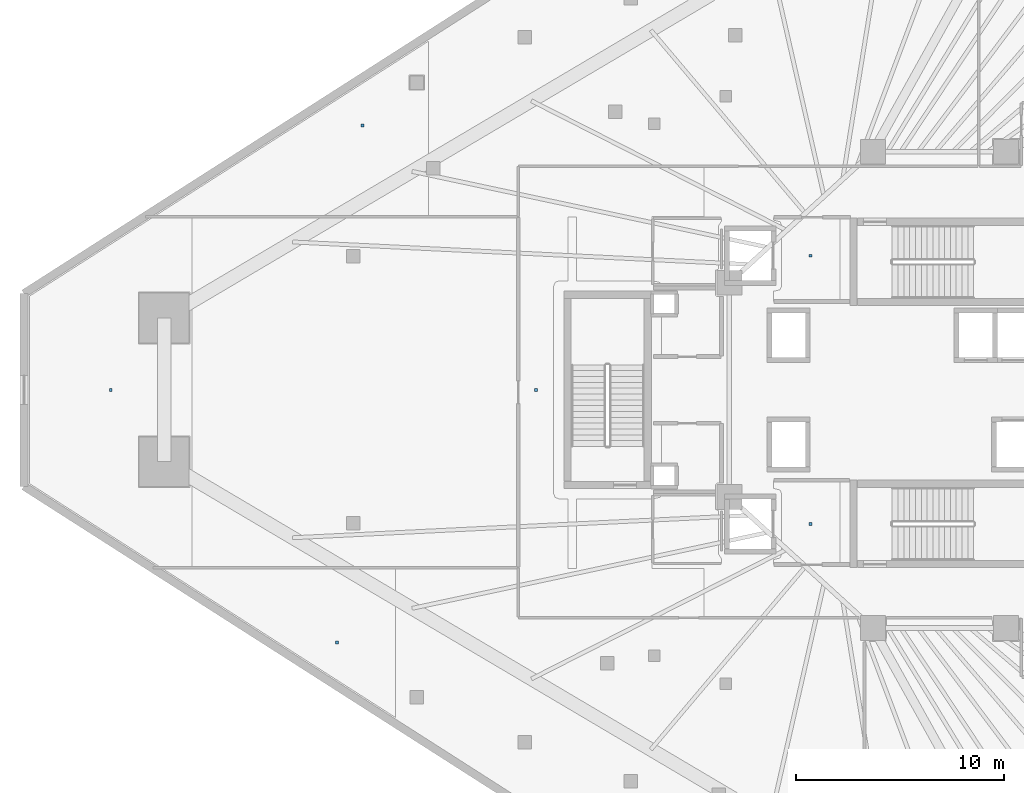
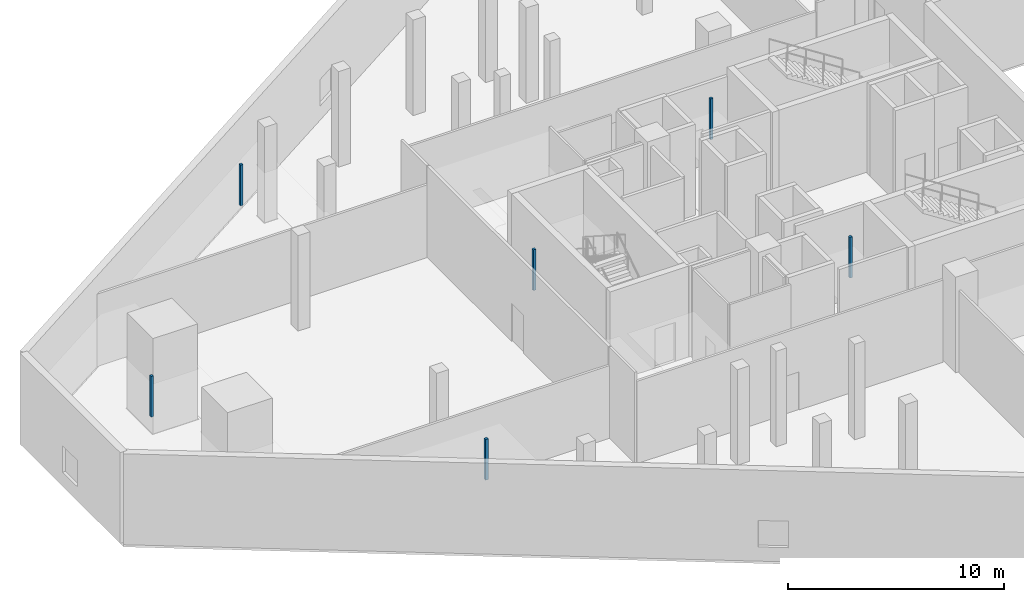
# One storey, part 36 of 47: 6 discrete accessories.
"""IFC4 building model written with IfcOpenShell, lengths in metres."""

from ifc_helpers import new_model, si_unit, direction, frame, origin, origin_2d, place, context, subcontext, project, spatial, rectangle, extrude, material, type_object, element, save


model = new_model("IFC4")

# Units and contexts
model_context = context("Model", 3, precision=1e-05, world=origin(), true_north=direction((0.0, 1.0)))
body_context = subcontext(model_context, "Body", "Model", "MODEL_VIEW")
ifc_project = project(units=[si_unit("LENGTHUNIT", "METRE"), si_unit("AREAUNIT", "SQUARE_METRE"), si_unit("VOLUMEUNIT", "CUBIC_METRE"), si_unit("PLANEANGLEUNIT", "RADIAN"), si_unit("MASSUNIT", "GRAM", prefix="KILO")], contexts=[model_context])

# Site, building, storey
site_placement = place(None, origin())
site = spatial("IfcSite", under=ifc_project, at=site_placement, CompositionType="ELEMENT")
building_placement = place(site_placement, origin())
building = spatial("IfcBuilding", under=site, at=building_placement, Name="Qorvath Tower", CompositionType="ELEMENT")
storey_placement = place(building_placement, frame((0.0, 0.0, 6.60009765625)))
storey = spatial("IfcBuildingStorey", under=building, at=storey_placement, Name="L01", CompositionType="ELEMENT", Elevation=6.60009765625)

# Discrete accessories
ifc_material = material(Name="Galvanised steel bracket", Category="steel")
discrete_accessory_type = type_object("IfcDiscreteAccessoryType", Name="DA-BRACKET", PredefinedType="BRACKET", material=ifc_material)
for number, where, z_axis, x_axis, name in (
    (1, (-26.590087890625, 6.449951171875, 2.85986328125), (0.0, 0.0, 1.0), (1.0, 0.0, 0.0), "Acoustic Ceiling Suspension Hanger T1-L01-001"),
    (2, (-26.590087890625, -6.449951171875, 2.85986328125), (0.0, 0.0, 1.0), (1.0, 0.0, 0.0), "Acoustic Ceiling Suspension Hanger T1-L01-002"),
    (3, (-39.797607421875, 0.0, 2.85986328125), (0.0, 0.0, 1.0), (1.0, 0.0, 0.0), "Acoustic Ceiling Suspension Hanger T1-L01-007"),
    (4, (-48.131591796875, 12.71337890625, 2.85986328125), (0.0, 0.0, 1.0), (1.0, 0.0, 0.0), "Acoustic Ceiling Suspension Hanger T1-L01-010"),
    (5, (-49.36474609375, -12.15576171875, 2.85986328125), (0.0, 0.0, 1.0), (1.0, 0.0, 0.0), "Acoustic Ceiling Suspension Hanger T1-L01-012"),
    (6, (-60.247314453125, 0.0, 2.85986328125), (0.0, 0.0, 1.0), (1.0, 0.0, 0.0), "Acoustic Ceiling Suspension Hanger T1-L01-013"),
):
    element("IfcDiscreteAccessory", number, at=place(storey_placement, frame(where, z_axis=z_axis, x_axis=x_axis)), inside=storey, type_object=discrete_accessory_type, Name=name, PredefinedType="NOTDEFINED", context=body_context, shape_type="SweptSolid", body=[
        extrude(rectangle(XDim=0.139892578125, YDim=0.139892578125, at=origin_2d()), origin(), (0.0, 0.0, 1.0), 2.31005859375),
    ])

save(model, "model.ifc")
